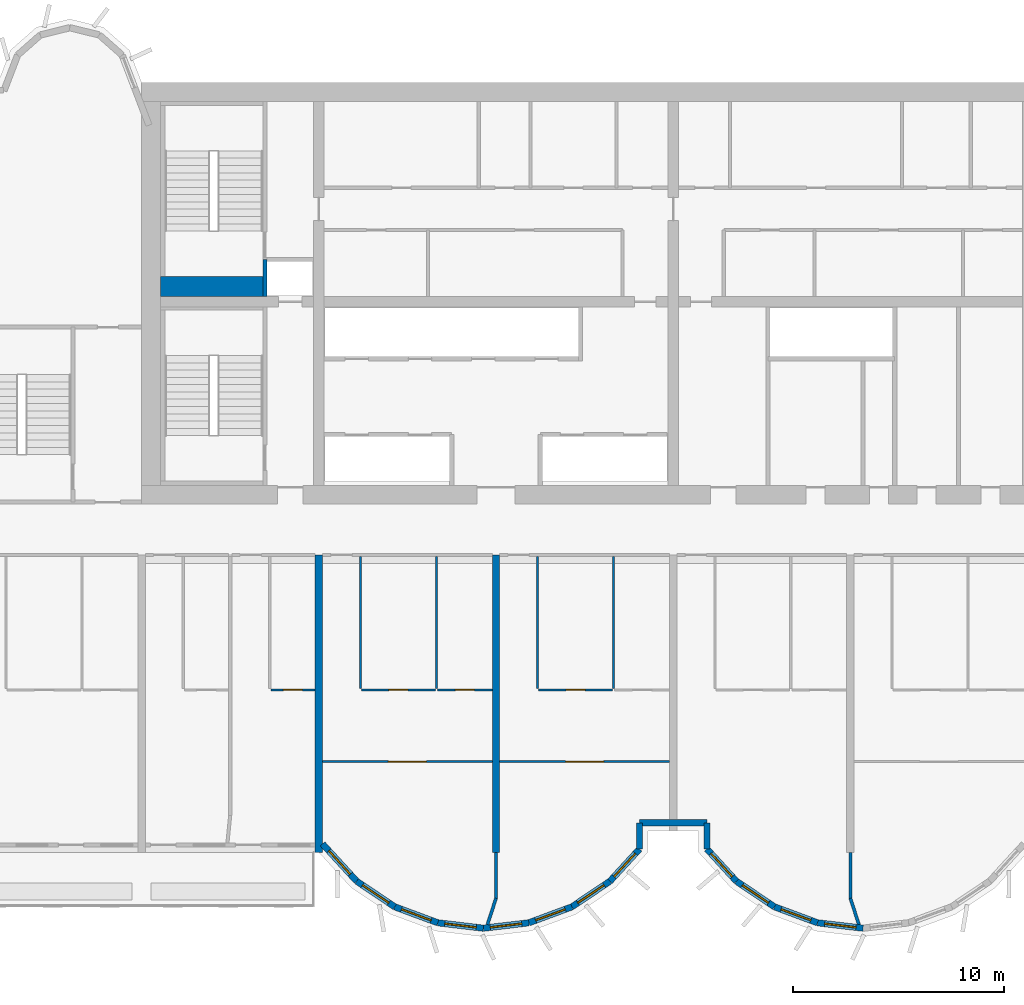
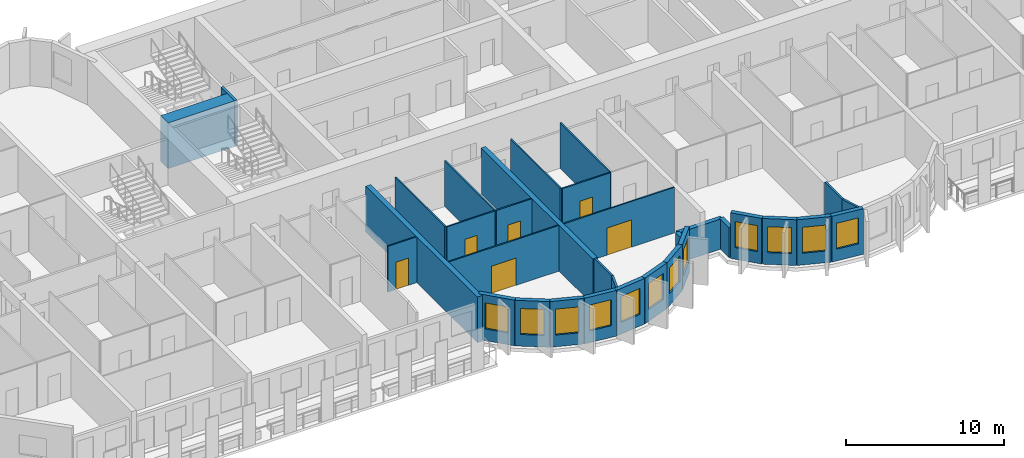
# One storey, part 5 of 15: 33 walls, 12 windows, 6 doors, 18 openings.
"""IFC4 building model written with IfcOpenShell, lengths in metres."""

import ifcopenshell
import ifcopenshell.guid

model = None  # the IFC model being written
_history = None  # IfcOwnerHistory: only IFC2X3 demands one
_inside = {}  # id of a spatial element -> (the spatial element, [elements in it])
_under = {}  # id of a project, library or spatial element -> (it, [spatial elements below it])
_declared = {}  # id of a project -> (the project, [libraries it declares])
_typed = {}  # id of a type object -> (the type object, [elements of that type])
_made_of = {}  # id of a material, layer set ... -> (it, [elements and type objects made of it])


def new_model(schema):
    """Start an empty IFC model of exactly this schema.

    Asked for "IFC4X3", IfcOpenShell would pick the latest addendum, in which some entities
    have other attributes; the version numbers below select the first issue.
    IFC2X3 requires an IfcOwnerHistory on every rooted entity: one is made here for all.
    """
    global model, _history
    if schema == "IFC4X3":
        model = ifcopenshell.file(schema_version=(4, 3, 0, 0))
    else:
        model = ifcopenshell.file(schema=schema)
    _inside.clear()
    _under.clear()
    _declared.clear()
    _typed.clear()
    _made_of.clear()
    _history = None
    if model.schema == "IFC2X3":
        org = make("IfcOrganization", Name="unknown")
        user = make(
            "IfcPersonAndOrganization",
            ThePerson=make("IfcPerson", FamilyName="unknown"),
            TheOrganization=org,
        )
        app = make(
            "IfcApplication",
            ApplicationDeveloper=org,
            Version="unknown",
            ApplicationFullName="unknown",
            ApplicationIdentifier="unknown",
        )
        _history = make(
            "IfcOwnerHistory",
            OwningUser=user,
            OwningApplication=app,
            ChangeAction="ADDED",
            CreationDate=0,
        )
    return model


def make(cls, **values):
    """One entity of the class cls with the attributes given. An attribute that is None is left unset."""
    return model.create_entity(
        cls, **{name: value for name, value in values.items() if value is not None}
    )


def rooted(cls, **values):
    """An entity with a GlobalId (a new one), such as an element, a storey or a relation."""
    return make(cls, GlobalId=ifcopenshell.guid.new(), OwnerHistory=_history, **values)


def si_unit(unit_type, name, prefix=None):
    """IfcSIUnit, for example si_unit("LENGTHUNIT", "METRE", prefix="MILLI")."""
    return make("IfcSIUnit", UnitType=unit_type, Prefix=prefix, Name=name)


def assignment(units):
    """IfcUnitAssignment: the units of a project."""
    return None if units is None else make("IfcUnitAssignment", Units=units)


def point(xyz):
    """IfcCartesianPoint."""
    return None if xyz is None else make("IfcCartesianPoint", Coordinates=xyz)


def direction(xyz):
    """IfcDirection."""
    return None if xyz is None else make("IfcDirection", DirectionRatios=xyz)


def frame(location, z_axis=None, x_axis=None):
    """IfcAxis2Placement3D, a coordinate frame: its origin and axes. An axis left out is left unset."""
    return make(
        "IfcAxis2Placement3D",
        Location=point(location),
        Axis=direction(z_axis),
        RefDirection=direction(x_axis),
    )


def frame_2d(location, x_axis=None):
    """IfcAxis2Placement2D, a coordinate frame in the plane: its origin and x axis."""
    return make(
        "IfcAxis2Placement2D", Location=point(location), RefDirection=direction(x_axis)
    )


def origin():
    """The frame at (0, 0, 0) with its axes left unset."""
    return frame((0.0, 0.0, 0.0))


def place(relative_to, where):
    """IfcLocalPlacement: puts the frame where relative to a parent placement (None: the world)."""
    return make(
        "IfcLocalPlacement", PlacementRelTo=relative_to, RelativePlacement=where
    )


def context(
    kind, dimensions, precision=None, world=None, true_north=None, identifier=None
):
    """IfcGeometricRepresentationContext, for example the 3D "Model" context."""
    return make(
        "IfcGeometricRepresentationContext",
        ContextIdentifier=identifier,
        ContextType=kind,
        CoordinateSpaceDimension=dimensions,
        Precision=precision,
        WorldCoordinateSystem=world,
        TrueNorth=true_north,
    )


def subcontext(parent, identifier, kind, view, scale=None):
    """IfcGeometricRepresentationSubContext, for example "Body" below "Model"."""
    return make(
        "IfcGeometricRepresentationSubContext",
        ContextIdentifier=identifier,
        ContextType=kind,
        ParentContext=parent,
        TargetScale=scale,
        TargetView=view,
    )


def project(units=None, contexts=None):
    """IfcProject with its units and contexts."""
    return rooted(
        "IfcProject",
        Name="project",
        RepresentationContexts=contexts,
        UnitsInContext=assignment(units),
    )


def spatial(cls, under=None, at=None, **own):
    """A site, building, storey or space (cls), placed at a placement, below another one or the project."""
    s = rooted(cls, ObjectPlacement=at, **own)
    if under is not None:
        _under.setdefault(under.id(), (under, []))[1].append(s)
    return s


def profile(cls, at=None, kind="AREA", **sizes):
    """A parametric profile (cls). Its sizes go by their IFC names, for example OverallWidth=200.0."""
    return make(cls, ProfileType=kind, Position=at, **sizes)


def rectangle(**sizes):
    """IfcRectangleProfileDef."""
    return profile("IfcRectangleProfileDef", **sizes)


def extrude(swept, where, along, depth):
    """IfcExtrudedAreaSolid: the profile swept, set in the frame where, extruded along a direction by depth."""
    return make(
        "IfcExtrudedAreaSolid",
        SweptArea=swept,
        Position=where,
        ExtrudedDirection=direction(along),
        Depth=depth,
    )


def shape(context_of_items, identifier, shape_type, items):
    """IfcShapeRepresentation: the items that make up one representation, for example the "Body"."""
    return make(
        "IfcShapeRepresentation",
        ContextOfItems=context_of_items,
        RepresentationIdentifier=identifier,
        RepresentationType=shape_type,
        Items=items,
    )


def source(mapping_origin, context_of_items, identifier, shape_type, items):
    """IfcRepresentationMap: a shape defined once, which mapped items show again and again."""
    return make(
        "IfcRepresentationMap",
        MappingOrigin=mapping_origin,
        MappedRepresentation=shape(context_of_items, identifier, shape_type, items),
    )


def transform(
    local_origin,
    x_axis=None,
    y_axis=None,
    z_axis=None,
    scale=None,
    scale2=None,
    scale3=None,
    uniform=True,
):
    """IfcCartesianTransformationOperator3D, or its non-uniform kind. x_axis, y_axis, z_axis: its Axis1, 2, 3."""
    if uniform:
        return make(
            "IfcCartesianTransformationOperator3D",
            Axis1=direction(x_axis),
            Axis2=direction(y_axis),
            LocalOrigin=point(local_origin),
            Scale=scale,
            Axis3=direction(z_axis),
        )
    return make(
        "IfcCartesianTransformationOperator3DnonUniform",
        Axis1=direction(x_axis),
        Axis2=direction(y_axis),
        LocalOrigin=point(local_origin),
        Scale=scale,
        Axis3=direction(z_axis),
        Scale2=scale2,
        Scale3=scale3,
    )


def mapped(mapping_source, mapping_target):
    """IfcMappedItem: shows the shape of a source again, moved by a transform."""
    return make(
        "IfcMappedItem", MappingSource=mapping_source, MappingTarget=mapping_target
    )


def material(Name=None, Category=None):
    """IfcMaterial."""
    return make("IfcMaterial", Name=Name, Category=Category)


def layer(
    of_material, thickness, ventilated=None, Name=None, Category=None, Priority=None
):
    """IfcMaterialLayer: one layer of a wall or slab, of a material (None: an air gap)."""
    return make(
        "IfcMaterialLayer",
        Material=of_material,
        LayerThickness=thickness,
        IsVentilated=ventilated,
        Name=Name,
        Category=Category,
        Priority=Priority,
    )


def layer_set(layers, Name=None):
    """IfcMaterialLayerSet."""
    return make("IfcMaterialLayerSet", MaterialLayers=layers, LayerSetName=Name)


def made_of(thing, what):
    """Note that an element or type object is made of a material, layer set ...; save() writes the relation."""
    if what is not None:
        _made_of.setdefault(what.id(), (what, []))[1].append(thing)
    return thing


def type_object(cls, material=None, **own):
    """A type object (cls), such as IfcWallType, which elements share."""
    return made_of(rooted(cls, **own), material)


def element(
    cls,
    number,
    at=None,
    inside=None,
    cuts=None,
    type_object=None,
    material=None,
    context=None,
    identifier="Body",
    shape_type=None,
    held_by="IfcProductDefinitionShape",
    body=None,
    shapes=None,
    **own,
):
    """One element of the class cls, such as IfcWall. Its Tag is "e" and its number.

    at: its placement. inside: the storey or other place that contains it. cuts: it is an
    opening in that element (IfcRelVoidsElement). A single representation is given by context,
    identifier, shape_type and body (its items); several are given by shapes. held_by: the class
    of the entity that holds the representations. save() writes the other relations.
    """
    e = rooted(cls, Tag="e%d" % number, ObjectPlacement=at, **own)
    if body is not None:
        shapes = [shape(context, identifier, shape_type, body)]
    if shapes is not None:
        e.Representation = make(held_by, Representations=shapes)
    if inside is not None:
        _inside.setdefault(inside.id(), (inside, []))[1].append(e)
    if cuts is not None:
        rooted(
            "IfcRelVoidsElement", RelatingBuildingElement=cuts, RelatedOpeningElement=e
        )
    if type_object is not None:
        _typed.setdefault(type_object.id(), (type_object, []))[1].append(e)
    return made_of(e, material)


def fill(opening, filler):
    """IfcRelFillsElement: the door or window that sits in an opening."""
    return rooted(
        "IfcRelFillsElement",
        RelatingOpeningElement=opening,
        RelatedBuildingElement=filler,
    )


def aggregate(whole, parts):
    """IfcRelAggregates: a whole, such as a stair, and the parts it consists of."""
    return rooted("IfcRelAggregates", RelatingObject=whole, RelatedObjects=parts)


def save(model, path):
    """Write the relations noted so far, then the file.

    IfcRelAggregates (storeys below a building ...), IfcRelContainedInSpatialStructure (elements
    in a storey), IfcRelDefinesByType, IfcRelAssociatesMaterial and IfcRelDeclares: one each for
    every whole, place, type object, material and project.
    """
    for whole, parts in _under.values():
        aggregate(whole, parts)
    for where, things in _inside.values():
        rooted(
            "IfcRelContainedInSpatialStructure",
            RelatedElements=things,
            RelatingStructure=where,
        )
    for kind, things in _typed.values():
        rooted("IfcRelDefinesByType", RelatedObjects=things, RelatingType=kind)
    for what, things in _made_of.values():
        rooted("IfcRelAssociatesMaterial", RelatedObjects=things, RelatingMaterial=what)
    for by, libraries in _declared.values():
        rooted("IfcRelDeclares", RelatingContext=by, RelatedDefinitions=libraries)
    model.write(path)


model = new_model("IFC4")

# Units and contexts
model_context = context("Model", 3, precision=1e-05, world=origin(), true_north=direction((0.0, 1.0)))
body_context = subcontext(model_context, "Body", "Model", "MODEL_VIEW")
ifc_project = project(units=[si_unit("LENGTHUNIT", "METRE"), si_unit("AREAUNIT", "SQUARE_METRE"), si_unit("VOLUMEUNIT", "CUBIC_METRE"), si_unit("PLANEANGLEUNIT", "RADIAN"), si_unit("MASSUNIT", "GRAM", prefix="KILO")], contexts=[model_context])

# Site, building, storey
site_placement = place(None, origin())
site = spatial("IfcSite", under=ifc_project, at=site_placement, CompositionType="ELEMENT")
building_placement = place(site_placement, origin())
building = spatial("IfcBuilding", under=site, at=building_placement, Name="Vanashikhar Sky Hotel", CompositionType="ELEMENT")
storey_placement = place(building_placement, frame((0.0, 0.0, 137.0)))
storey = spatial("IfcBuildingStorey", under=building, at=storey_placement, Name="L33", CompositionType="ELEMENT", Elevation=137.0)

# Walls
ifc_material_1 = material(Name="Concrete M70", Category="concrete")
ifc_layer_1 = layer(ifc_material_1, 0.35009765625)
ifc_layer_set_1 = layer_set([ifc_layer_1], Name="RC shear wall 350 Concrete M70")
wall_type_1 = type_object("IfcWallType", Name="RC shear wall 350 Concrete M70", PredefinedType="SHEAR", material=ifc_layer_set_1)
shared_shape_1 = source(origin(), body_context, "Body", "SweptSolid", [
    extrude(rectangle(XDim=14.10009765625, YDim=0.35009765625, at=frame_2d((7.050048828125, 0.0))), origin(), (0.0, 0.0, 1.0), 3.52001953125),
])
for number, where, z_axis, x_axis, name in (
    (1, (33.60009765625, 5.5, 0.0), (0.0, 0.0, 1.0), (0.0, 1.0, 0.0), "CW-L33-XW05-1"),
    (2, (42.0, 5.5, 0.0), (0.0, 0.0, 1.0), (0.0, 1.0, 0.0), "CW-L33-XW06-1"),
):
    element("IfcWall", number, at=place(storey_placement, frame(where, z_axis=z_axis, x_axis=x_axis)), inside=storey, type_object=wall_type_1, Name=name, PredefinedType="SHEAR", context=body_context, shape_type="MappedRepresentation", body=[
        mapped(shared_shape_1, transform((0.0, 0.0, 0.0), scale=1.0)),
    ])

# Wall, opening, window
ifc_material_2 = material(Name="Concrete M50", Category="concrete")
ifc_layer_2 = layer(ifc_material_2, 0.300048828125)
ifc_layer_set_2 = layer_set([ifc_layer_2], Name="Lobe wall 300")
wall_type_2 = type_object("IfcWallType", Name="Lobe wall 300", PredefinedType="SOLIDWALL", material=ifc_layer_set_2)
shared_shape_2 = source(origin(), body_context, "Body", "SweptSolid", [
    extrude(rectangle(XDim=2.398193359375, YDim=0.300048828125, at=frame_2d((1.19921875, 0.0))), origin(), (0.0, 0.0, 1.0), 3.52001953125),
])
wall_1_placement = place(storey_placement, frame((33.776123046875, 5.89990234375, 0.0), z_axis=(0.0, 0.0, 1.0), x_axis=(0.675374189419, -0.737475222815, 0.0)))
wall_1 = element("IfcWall", 3, at=wall_1_placement, inside=storey, type_object=wall_type_2, Name="Lobe wall", PredefinedType="SOLIDWALL", context=body_context, shape_type="MappedRepresentation", body=[
    mapped(shared_shape_2, transform((0.0, 0.0, 0.0), scale=1.0)),
])
shared_shape_3 = source(origin(), body_context, "Body", "SweptSolid", [
    extrude(rectangle(XDim=1.5, YDim=2.0, at=frame_2d((0.75, 1.0))), frame((0.0, 0.16015625, 0.0), z_axis=(0.0, -1.0, 0.0), x_axis=(1.0, 0.0, 0.0)), (0.0, 0.0, 1.0), 0.320068359375),
])
opening_1_placement = place(wall_1_placement, frame((0.44921875, 0.0, 0.89990234375)))
opening_1 = element("IfcOpeningElement", 4, at=opening_1_placement, cuts=wall_1, Name="Opening WN-2", PredefinedType="OPENING", context=body_context, shape_type="MappedRepresentation", body=[
    mapped(shared_shape_3, transform((0.0, 0.0, 0.0), scale=1.0)),
])
ifc_material_3 = material(Name="Glass", Category="glass")
window_type = type_object("IfcWindowType", Name="Lobe window 1500 x 2000", PartitioningType="SINGLE_PANEL", PredefinedType="WINDOW", material=ifc_material_3)
shared_shape_4 = source(origin(), body_context, "Body", "SweptSolid", [
    extrude(rectangle(XDim=1.5, YDim=2.0, at=frame_2d((0.75, 1.0))), frame((0.0, 0.030029296875, 0.0), z_axis=(0.0, -1.0, 0.0), x_axis=(1.0, 0.0, 0.0)), (0.0, 0.0, 1.0), 0.06005859375),
])
window_1_placement = place(opening_1_placement, origin())
window_1 = element("IfcWindow", 5, at=window_1_placement, inside=storey, type_object=window_type, Name="Window WN-2", OverallHeight=2.0, OverallWidth=1.5, PartitioningType="SINGLE_PANEL", PredefinedType="WINDOW", context=body_context, shape_type="MappedRepresentation", body=[
    mapped(shared_shape_4, transform((0.0, 0.0, 0.0), scale=1.0)),
])
fill(opening_1, window_1)

shared_shape_5 = source(origin(), body_context, "Body", "SweptSolid", [
    extrude(rectangle(XDim=2.17578125, YDim=0.300048828125, at=frame_2d((1.087890625, 0.0))), origin(), (0.0, 0.0, 1.0), 3.52001953125),
])
wall_2_placement = place(storey_placement, frame((35.395751953125, 4.13134765625, 0.0), z_axis=(0.0, 0.0, 1.0), x_axis=(0.829590746428, -0.558371913192, 0.0)))
wall_2 = element("IfcWall", 6, at=wall_2_placement, inside=storey, type_object=wall_type_2, Name="Lobe wall", PredefinedType="SOLIDWALL", context=body_context, shape_type="MappedRepresentation", body=[
    mapped(shared_shape_5, transform((0.0, 0.0, 0.0), scale=1.0)),
])
opening_2_placement = place(wall_2_placement, frame((0.337890625, 0.0, 0.89990234375)))
opening_2 = element("IfcOpeningElement", 7, at=opening_2_placement, cuts=wall_2, Name="Opening WN-2", PredefinedType="OPENING", context=body_context, shape_type="MappedRepresentation", body=[
    mapped(shared_shape_3, transform((0.0, 0.0, 0.0), scale=1.0)),
])
window_2_placement = place(opening_2_placement, origin())
window_2 = element("IfcWindow", 8, at=window_2_placement, inside=storey, type_object=window_type, Name="Window WN-2", OverallHeight=2.0, OverallWidth=1.5, PartitioningType="SINGLE_PANEL", PredefinedType="WINDOW", context=body_context, shape_type="MappedRepresentation", body=[
    mapped(shared_shape_4, transform((0.0, 0.0, 0.0), scale=1.0)),
])
fill(opening_2, window_2)

wall_3_placement = place(storey_placement, frame((37.20068359375, 2.91650390625, 0.0), z_axis=(0.0, 0.0, 1.0), x_axis=(0.93754555999, -0.347862505801, 0.0)))
wall_3 = element("IfcWall", 9, at=wall_3_placement, inside=storey, type_object=wall_type_2, Name="Lobe wall", PredefinedType="SOLIDWALL", context=body_context, shape_type="MappedRepresentation", body=[
    mapped(shared_shape_5, transform((0.0, 0.0, 0.0), scale=1.0)),
])
opening_3_placement = place(wall_3_placement, frame((0.337890625, 0.0, 0.89990234375)))
opening_3 = element("IfcOpeningElement", 10, at=opening_3_placement, cuts=wall_3, Name="Opening WN-2", PredefinedType="OPENING", context=body_context, shape_type="MappedRepresentation", body=[
    mapped(shared_shape_3, transform((0.0, 0.0, 0.0), scale=1.0)),
])
window_3_placement = place(opening_3_placement, origin())
window_3 = element("IfcWindow", 11, at=window_3_placement, inside=storey, type_object=window_type, Name="Window WN-2", OverallHeight=2.0, OverallWidth=1.5, PartitioningType="SINGLE_PANEL", PredefinedType="WINDOW", context=body_context, shape_type="MappedRepresentation", body=[
    mapped(shared_shape_4, transform((0.0, 0.0, 0.0), scale=1.0)),
])
fill(opening_3, window_3)

wall_4_placement = place(storey_placement, frame((45.59912109375, 2.91650390625, 0.0), z_axis=(0.0, 0.0, 1.0), x_axis=(0.829625727223, 0.558319937607, 0.0)))
wall_4 = element("IfcWall", 12, at=wall_4_placement, inside=storey, type_object=wall_type_2, Name="Lobe wall", PredefinedType="SOLIDWALL", context=body_context, shape_type="MappedRepresentation", body=[
    mapped(shared_shape_5, transform((0.0, 0.0, 0.0), scale=1.0)),
])
opening_4_placement = place(wall_4_placement, frame((0.337890625, 0.0, 0.89990234375)))
opening_4 = element("IfcOpeningElement", 13, at=opening_4_placement, cuts=wall_4, Name="Opening WN-2", PredefinedType="OPENING", context=body_context, shape_type="MappedRepresentation", body=[
    mapped(shared_shape_3, transform((0.0, 0.0, 0.0), scale=1.0)),
])
window_4_placement = place(opening_4_placement, origin())
window_4 = element("IfcWindow", 14, at=window_4_placement, inside=storey, type_object=window_type, Name="Window WN-2", OverallHeight=2.0, OverallWidth=1.5, PartitioningType="SINGLE_PANEL", PredefinedType="WINDOW", context=body_context, shape_type="MappedRepresentation", body=[
    mapped(shared_shape_4, transform((0.0, 0.0, 0.0), scale=1.0)),
])
fill(opening_4, window_4)

wall_5_placement = place(storey_placement, frame((53.395751953125, 4.13134765625, 0.0), z_axis=(0.0, 0.0, 1.0), x_axis=(0.829590746428, -0.558371913192, 0.0)))
wall_5 = element("IfcWall", 15, at=wall_5_placement, inside=storey, type_object=wall_type_2, Name="Lobe wall", PredefinedType="SOLIDWALL", context=body_context, shape_type="MappedRepresentation", body=[
    mapped(shared_shape_5, transform((0.0, 0.0, 0.0), scale=1.0)),
])
opening_5_placement = place(wall_5_placement, frame((0.337890625, 0.0, 0.89990234375)))
opening_5 = element("IfcOpeningElement", 16, at=opening_5_placement, cuts=wall_5, Name="Opening WN-2", PredefinedType="OPENING", context=body_context, shape_type="MappedRepresentation", body=[
    mapped(shared_shape_3, transform((0.0, 0.0, 0.0), scale=1.0)),
])
window_5_placement = place(opening_5_placement, origin())
window_5 = element("IfcWindow", 17, at=window_5_placement, inside=storey, type_object=window_type, Name="Window WN-2", OverallHeight=2.0, OverallWidth=1.5, PartitioningType="SINGLE_PANEL", PredefinedType="WINDOW", context=body_context, shape_type="MappedRepresentation", body=[
    mapped(shared_shape_4, transform((0.0, 0.0, 0.0), scale=1.0)),
])
fill(opening_5, window_5)

wall_6_placement = place(storey_placement, frame((55.20068359375, 2.91650390625, 0.0), z_axis=(0.0, 0.0, 1.0), x_axis=(0.93754555999, -0.347862505801, 0.0)))
wall_6 = element("IfcWall", 18, at=wall_6_placement, inside=storey, type_object=wall_type_2, Name="Lobe wall", PredefinedType="SOLIDWALL", context=body_context, shape_type="MappedRepresentation", body=[
    mapped(shared_shape_5, transform((0.0, 0.0, 0.0), scale=1.0)),
])
opening_6_placement = place(wall_6_placement, frame((0.337890625, 0.0, 0.89990234375)))
opening_6 = element("IfcOpeningElement", 19, at=opening_6_placement, cuts=wall_6, Name="Opening WN-2", PredefinedType="OPENING", context=body_context, shape_type="MappedRepresentation", body=[
    mapped(shared_shape_3, transform((0.0, 0.0, 0.0), scale=1.0)),
])
window_6_placement = place(opening_6_placement, origin())
window_6 = element("IfcWindow", 20, at=window_6_placement, inside=storey, type_object=window_type, Name="Window WN-2", OverallHeight=2.0, OverallWidth=1.5, PartitioningType="SINGLE_PANEL", PredefinedType="WINDOW", context=body_context, shape_type="MappedRepresentation", body=[
    mapped(shared_shape_4, transform((0.0, 0.0, 0.0), scale=1.0)),
])
fill(opening_6, window_6)

shared_shape_6 = source(origin(), body_context, "Body", "SweptSolid", [
    extrude(rectangle(XDim=2.174560546875, YDim=0.300048828125, at=frame_2d((1.08740234375, 0.0))), origin(), (0.0, 0.0, 1.0), 3.52001953125),
])
wall_7_placement = place(storey_placement, frame((39.240478515625, 2.15966796875, 0.0), z_axis=(0.0, 0.0, 1.0), x_axis=(0.993001132889, -0.118104826659, 0.0)))
wall_7 = element("IfcWall", 21, at=wall_7_placement, inside=storey, type_object=wall_type_2, Name="Lobe wall", PredefinedType="SOLIDWALL", context=body_context, shape_type="MappedRepresentation", body=[
    mapped(shared_shape_6, transform((0.0, 0.0, 0.0), scale=1.0)),
])
opening_7_placement = place(wall_7_placement, frame((0.33740234375, 0.0, 0.89990234375)))
opening_7 = element("IfcOpeningElement", 22, at=opening_7_placement, cuts=wall_7, Name="Opening WN-2", PredefinedType="OPENING", context=body_context, shape_type="MappedRepresentation", body=[
    mapped(shared_shape_3, transform((0.0, 0.0, 0.0), scale=1.0)),
])
window_7_placement = place(opening_7_placement, origin())
window_7 = element("IfcWindow", 23, at=window_7_placement, inside=storey, type_object=window_type, Name="Window WN-2", OverallHeight=2.0, OverallWidth=1.5, PartitioningType="SINGLE_PANEL", PredefinedType="WINDOW", context=body_context, shape_type="MappedRepresentation", body=[
    mapped(shared_shape_4, transform((0.0, 0.0, 0.0), scale=1.0)),
])
fill(opening_7, window_7)

wall_8_placement = place(storey_placement, frame((57.240478515625, 2.15966796875, 0.0), z_axis=(0.0, 0.0, 1.0), x_axis=(0.993001132889, -0.118104826659, 0.0)))
wall_8 = element("IfcWall", 24, at=wall_8_placement, inside=storey, type_object=wall_type_2, Name="Lobe wall", PredefinedType="SOLIDWALL", context=body_context, shape_type="MappedRepresentation", body=[
    mapped(shared_shape_6, transform((0.0, 0.0, 0.0), scale=1.0)),
])
opening_8_placement = place(wall_8_placement, frame((0.33740234375, 0.0, 0.89990234375)))
opening_8 = element("IfcOpeningElement", 25, at=opening_8_placement, cuts=wall_8, Name="Opening WN-2", PredefinedType="OPENING", context=body_context, shape_type="MappedRepresentation", body=[
    mapped(shared_shape_3, transform((0.0, 0.0, 0.0), scale=1.0)),
])
window_8_placement = place(opening_8_placement, origin())
window_8 = element("IfcWindow", 26, at=window_8_placement, inside=storey, type_object=window_type, Name="Window WN-2", OverallHeight=2.0, OverallWidth=1.5, PartitioningType="SINGLE_PANEL", PredefinedType="WINDOW", context=body_context, shape_type="MappedRepresentation", body=[
    mapped(shared_shape_4, transform((0.0, 0.0, 0.0), scale=1.0)),
])
fill(opening_8, window_8)

shared_shape_7 = source(origin(), body_context, "Body", "SweptSolid", [
    extrude(rectangle(XDim=2.1748046875, YDim=0.300048828125, at=frame_2d((1.08740234375, 0.0))), origin(), (0.0, 0.0, 1.0), 3.52001953125),
])
wall_9_placement = place(storey_placement, frame((41.39990234375, 1.90283203125, 0.0), z_axis=(0.0, 0.0, 1.0), x_axis=(0.993002698611, 0.118091661648, 0.0)))
wall_9 = element("IfcWall", 27, at=wall_9_placement, inside=storey, type_object=wall_type_2, Name="Lobe wall", PredefinedType="SOLIDWALL", context=body_context, shape_type="MappedRepresentation", body=[
    mapped(shared_shape_7, transform((0.0, 0.0, 0.0), scale=1.0)),
])
opening_9_placement = place(wall_9_placement, frame((0.33740234375, 0.0, 0.89990234375)))
opening_9 = element("IfcOpeningElement", 28, at=opening_9_placement, cuts=wall_9, Name="Opening WN-2", PredefinedType="OPENING", context=body_context, shape_type="MappedRepresentation", body=[
    mapped(shared_shape_3, transform((0.0, 0.0, 0.0), scale=1.0)),
])
window_9_placement = place(opening_9_placement, origin())
window_9 = element("IfcWindow", 29, at=window_9_placement, inside=storey, type_object=window_type, Name="Window WN-2", OverallHeight=2.0, OverallWidth=1.5, PartitioningType="SINGLE_PANEL", PredefinedType="WINDOW", context=body_context, shape_type="MappedRepresentation", body=[
    mapped(shared_shape_4, transform((0.0, 0.0, 0.0), scale=1.0)),
])
fill(opening_9, window_9)

shared_shape_8 = source(origin(), body_context, "Body", "SweptSolid", [
    extrude(rectangle(XDim=2.175537109375, YDim=0.300048828125, at=frame_2d((1.087890625, 0.0))), origin(), (0.0, 0.0, 1.0), 3.52001953125),
])
wall_10_placement = place(storey_placement, frame((43.5595703125, 2.15966796875, 0.0), z_axis=(0.0, 0.0, 1.0), x_axis=(0.937531979054, 0.347899106424, 0.0)))
wall_10 = element("IfcWall", 30, at=wall_10_placement, inside=storey, type_object=wall_type_2, Name="Lobe wall", PredefinedType="SOLIDWALL", context=body_context, shape_type="MappedRepresentation", body=[
    mapped(shared_shape_8, transform((0.0, 0.0, 0.0), scale=1.0)),
])
opening_10_placement = place(wall_10_placement, frame((0.337890625, 0.0, 0.89990234375)))
opening_10 = element("IfcOpeningElement", 31, at=opening_10_placement, cuts=wall_10, Name="Opening WN-2", PredefinedType="OPENING", context=body_context, shape_type="MappedRepresentation", body=[
    mapped(shared_shape_3, transform((0.0, 0.0, 0.0), scale=1.0)),
])
window_10_placement = place(opening_10_placement, origin())
window_10 = element("IfcWindow", 32, at=window_10_placement, inside=storey, type_object=window_type, Name="Window WN-2", OverallHeight=2.0, OverallWidth=1.5, PartitioningType="SINGLE_PANEL", PredefinedType="WINDOW", context=body_context, shape_type="MappedRepresentation", body=[
    mapped(shared_shape_4, transform((0.0, 0.0, 0.0), scale=1.0)),
])
fill(opening_10, window_10)

shared_shape_9 = source(origin(), body_context, "Body", "SweptSolid", [
    extrude(rectangle(XDim=2.066650390625, YDim=0.300048828125, at=frame_2d((1.033203125, 0.0))), origin(), (0.0, 0.0, 1.0), 3.52001953125),
])
wall_11_placement = place(storey_placement, frame((47.404296875, 4.13134765625, 0.0), z_axis=(0.0, 0.0, 1.0), x_axis=(0.675355439877, 0.737492393065, 0.0)))
wall_11 = element("IfcWall", 33, at=wall_11_placement, inside=storey, type_object=wall_type_2, Name="Lobe wall", PredefinedType="SOLIDWALL", context=body_context, shape_type="MappedRepresentation", body=[
    mapped(shared_shape_9, transform((0.0, 0.0, 0.0), scale=1.0)),
])
opening_11_placement = place(wall_11_placement, frame((0.283447265625, 0.0, 0.89990234375)))
opening_11 = element("IfcOpeningElement", 34, at=opening_11_placement, cuts=wall_11, Name="Opening WN-2", PredefinedType="OPENING", context=body_context, shape_type="MappedRepresentation", body=[
    mapped(shared_shape_3, transform((0.0, 0.0, 0.0), scale=1.0)),
])
window_11_placement = place(opening_11_placement, origin())
window_11 = element("IfcWindow", 35, at=window_11_placement, inside=storey, type_object=window_type, Name="Window WN-2", OverallHeight=2.0, OverallWidth=1.5, PartitioningType="SINGLE_PANEL", PredefinedType="WINDOW", context=body_context, shape_type="MappedRepresentation", body=[
    mapped(shared_shape_4, transform((0.0, 0.0, 0.0), scale=1.0)),
])
fill(opening_11, window_11)

wall_12_placement = place(storey_placement, frame((52.0, 5.655517578125, 0.0), z_axis=(0.0, 0.0, 1.0), x_axis=(0.675355439877, -0.737492393065, 0.0)))
wall_12 = element("IfcWall", 36, at=wall_12_placement, inside=storey, type_object=wall_type_2, Name="Lobe wall", PredefinedType="SOLIDWALL", context=body_context, shape_type="MappedRepresentation", body=[
    mapped(shared_shape_9, transform((0.0, 0.0, 0.0), scale=1.0)),
])
opening_12_placement = place(wall_12_placement, frame((0.283447265625, 0.0, 0.89990234375)))
opening_12 = element("IfcOpeningElement", 37, at=opening_12_placement, cuts=wall_12, Name="Opening WN-2", PredefinedType="OPENING", context=body_context, shape_type="MappedRepresentation", body=[
    mapped(shared_shape_3, transform((0.0, 0.0, 0.0), scale=1.0)),
])
window_12_placement = place(opening_12_placement, origin())
window_12 = element("IfcWindow", 38, at=window_12_placement, inside=storey, type_object=window_type, Name="Window WN-2", OverallHeight=2.0, OverallWidth=1.5, PartitioningType="SINGLE_PANEL", PredefinedType="WINDOW", context=body_context, shape_type="MappedRepresentation", body=[
    mapped(shared_shape_4, transform((0.0, 0.0, 0.0), scale=1.0)),
])
fill(opening_12, window_12)

# Walls
shared_shape_10 = source(origin(), body_context, "Body", "SweptSolid", [
    extrude(rectangle(XDim=1.244384765625, YDim=0.300048828125, at=frame_2d((0.6220703125, 0.0))), origin(), (0.0, 0.0, 1.0), 2.320068359375),
])
for number, where, z_axis, x_axis, name in (
    (39, (48.800048828125, 5.655517578125, 0.0), (0.0, 0.0, 1.0), (0.0, 1.0, 0.0), "Groove wall"),
    (40, (52.0, 6.89990234375, 0.0), (0.0, 0.0, 1.0), (0.0, -1.0, 0.0), "Groove wall"),
):
    element("IfcWall", number, at=place(storey_placement, frame(where, z_axis=z_axis, x_axis=x_axis)), inside=storey, type_object=wall_type_2, Name=name, PredefinedType="SOLIDWALL", context=body_context, shape_type="MappedRepresentation", body=[
        mapped(shared_shape_10, transform((0.0, 0.0, 0.0), scale=1.0)),
    ])
shared_shape_11 = source(origin(), body_context, "Body", "SweptSolid", [
    extrude(rectangle(XDim=3.199951171875, YDim=0.300048828125, at=frame_2d((1.60009765625, 0.0))), origin(), (0.0, 0.0, 1.0), 2.320068359375),
])
wall_13_placement = place(storey_placement, frame((48.800048828125, 6.89990234375, 0.0), z_axis=(0.0, 0.0, 1.0), x_axis=(1.0, 0.0, 0.0)))
element("IfcWall", 41, at=wall_13_placement, inside=storey, type_object=wall_type_2, Name="Groove wall", PredefinedType="SOLIDWALL", context=body_context, shape_type="MappedRepresentation", body=[
    mapped(shared_shape_11, transform((0.0, 0.0, 0.0), scale=1.0)),
])
ifc_material_4 = material(Name="Concrete M40", Category="concrete")
ifc_layer_3 = layer(ifc_material_4, 0.199951171875)
ifc_layer_set_3 = layer_set([ifc_layer_3], Name="Shaft wall 200")
wall_type_3 = type_object("IfcWallType", Name="Shaft wall 200", PredefinedType="SOLIDWALL", material=ifc_layer_set_3)
shared_shape_12 = source(origin(), body_context, "Body", "SweptSolid", [
    extrude(rectangle(XDim=1.75, YDim=0.199951171875, at=frame_2d((0.875, 0.0))), origin(), (0.0, 0.0, 1.0), 3.52001953125),
])
wall_14_placement = place(storey_placement, frame((31.050048828125, 31.85009765625, 0.0), z_axis=(0.0, 0.0, 1.0), x_axis=(0.0, 1.0, 0.0)))
element("IfcWall", 42, at=wall_14_placement, inside=storey, type_object=wall_type_3, Name="Shaft wall 200", PredefinedType="SOLIDWALL", context=body_context, shape_type="MappedRepresentation", body=[
    mapped(shared_shape_12, transform((0.0, 0.0, 0.0), scale=1.0)),
])
ifc_layer_4 = layer(ifc_material_2, 0.949951171875)
ifc_layer_set_4 = layer_set([ifc_layer_4], Name="Stair infill wall 950")
wall_type_4 = type_object("IfcWallType", Name="Stair infill wall 950", PredefinedType="SOLIDWALL", material=ifc_layer_set_4)
shared_shape_13 = source(origin(), body_context, "Body", "SweptSolid", [
    extrude(rectangle(XDim=4.849853515625, YDim=0.949951171875, at=frame_2d((2.4248046875, 0.0))), origin(), (0.0, 0.0, 1.0), 3.52001953125),
])
wall_15_placement = place(storey_placement, frame((26.10009765625, 32.324951171875, 0.0), z_axis=(0.0, 0.0, 1.0), x_axis=(1.0, 0.0, 0.0)))
element("IfcWall", 43, at=wall_15_placement, inside=storey, type_object=wall_type_4, Name="Stair infill wall 950", PredefinedType="SOLIDWALL", context=body_context, shape_type="MappedRepresentation", body=[
    mapped(shared_shape_13, transform((0.0, 0.0, 0.0), scale=1.0)),
])
ifc_material_5 = material(Name="Gypsum plasterboard partition")
ifc_layer_5 = layer(ifc_material_5, 0.14990234375)
ifc_layer_set_5 = layer_set([ifc_layer_5], Name="Corridor and demising partition 150")
wall_type_5 = type_object("IfcWallType", Name="Corridor and demising partition 150", PredefinedType="PARTITIONING", material=ifc_layer_set_5)
shared_shape_14 = source(origin(), body_context, "Body", "SweptSolid", [
    extrude(rectangle(XDim=2.177978515625, YDim=0.14990234375, at=frame_2d((1.0888671875, 0.0))), origin(), (0.0, 0.0, 1.0), 3.52001953125),
])
for number, where, z_axis, x_axis, name in (
    (44, (42.0, 3.322021484375, 0.0), (0.0, 0.0, 1.0), (0.0, 1.0, 0.0), "W-L33-PW070"),
    (45, (58.800048828125, 3.322021484375, 0.0), (0.0, 0.0, 1.0), (0.0, 1.0, 0.0), "W-L33-PW071"),
):
    element("IfcWall", number, at=place(storey_placement, frame(where, z_axis=z_axis, x_axis=x_axis)), inside=storey, type_object=wall_type_5, Name=name, PredefinedType="PARTITIONING", context=body_context, shape_type="MappedRepresentation", body=[
        mapped(shared_shape_14, transform((0.0, 0.0, 0.0), scale=1.0)),
    ])

# Wall, opening, door
ifc_layer_6 = layer(ifc_material_5, 0.10009765625)
ifc_layer_set_6 = layer_set([ifc_layer_6], Name="Wet room partition 100")
wall_type_6 = type_object("IfcWallType", Name="Wet room partition 100", PredefinedType="PARTITIONING", material=ifc_layer_set_6)
shared_shape_15 = source(origin(), body_context, "Body", "SweptSolid", [
    extrude(rectangle(XDim=3.5, YDim=0.10009765625, at=frame_2d((1.75, 0.0))), origin(), (0.0, 0.0, 1.0), 3.52001953125),
])
wall_16_placement = place(storey_placement, frame((35.625, 13.199951171875, 0.0), z_axis=(0.0, 0.0, 1.0), x_axis=(1.0, 0.0, 0.0)))
wall_16 = element("IfcWall", 46, at=wall_16_placement, inside=storey, type_object=wall_type_6, Name="W-L33-PW026", PredefinedType="PARTITIONING", context=body_context, shape_type="MappedRepresentation", body=[
    mapped(shared_shape_15, transform((0.0, 0.0, 0.0), scale=1.0)),
])
shared_shape_16 = source(origin(), body_context, "Body", "SweptSolid", [
    extrude(rectangle(XDim=0.89990234375, YDim=2.10009765625, at=frame_2d((0.449951171875, 1.050048828125))), frame((0.0, 0.06005859375, 0.0), z_axis=(0.0, -1.0, 0.0), x_axis=(1.0, 0.0, 0.0)), (0.0, 0.0, 1.0), 0.1201171875),
])
opening_13_placement = place(wall_16_placement, frame((1.300048828125, 0.0, 0.0)))
opening_13 = element("IfcOpeningElement", 47, at=opening_13_placement, cuts=wall_16, Name="Opening D-02", PredefinedType="OPENING", context=body_context, shape_type="MappedRepresentation", body=[
    mapped(shared_shape_16, transform((0.0, 0.0, 0.0), scale=1.0)),
])
ifc_material_6 = material(Name="Timber door", Category="wood")
door_type_1 = type_object("IfcDoorType", Name="Internal door 900", OperationType="NOTDEFINED", PredefinedType="DOOR", material=ifc_material_6)
shared_shape_17 = source(origin(), body_context, "Body", "SweptSolid", [
    extrude(rectangle(XDim=0.89990234375, YDim=2.10009765625, at=frame_2d((0.449951171875, 1.050048828125))), frame((0.0, 0.02490234375, 0.0), z_axis=(0.0, -1.0, 0.0), x_axis=(1.0, 0.0, 0.0)), (0.0, 0.0, 1.0), 0.050048828125),
])
door_1_placement = place(opening_13_placement, origin())
door_1 = element("IfcDoor", 48, at=door_1_placement, inside=storey, type_object=door_type_1, Name="D-L33-015", OperationType="SINGLE_SWING_LEFT", OverallHeight=2.10009765625, OverallWidth=0.89990234375, PredefinedType="DOOR", context=body_context, shape_type="MappedRepresentation", body=[
    mapped(shared_shape_17, transform((0.0, 0.0, 0.0), scale=1.0)),
])
fill(opening_13, door_1)

wall_17_placement = place(storey_placement, frame((44.02490234375, 13.199951171875, 0.0), z_axis=(0.0, 0.0, 1.0), x_axis=(1.0, 0.0, 0.0)))
wall_17 = element("IfcWall", 49, at=wall_17_placement, inside=storey, type_object=wall_type_6, Name="W-L33-PW032", PredefinedType="PARTITIONING", context=body_context, shape_type="MappedRepresentation", body=[
    mapped(shared_shape_15, transform((0.0, 0.0, 0.0), scale=1.0)),
])
opening_14_placement = place(wall_17_placement, frame((1.300048828125, 0.0, 0.0)))
opening_14 = element("IfcOpeningElement", 50, at=opening_14_placement, cuts=wall_17, Name="Opening D-02", PredefinedType="OPENING", context=body_context, shape_type="MappedRepresentation", body=[
    mapped(shared_shape_16, transform((0.0, 0.0, 0.0), scale=1.0)),
])
door_2_placement = place(opening_14_placement, origin())
door_2 = element("IfcDoor", 51, at=door_2_placement, inside=storey, type_object=door_type_1, Name="D-L33-019", OperationType="SINGLE_SWING_LEFT", OverallHeight=2.10009765625, OverallWidth=0.89990234375, PredefinedType="DOOR", context=body_context, shape_type="MappedRepresentation", body=[
    mapped(shared_shape_17, transform((0.0, 0.0, 0.0), scale=1.0)),
])
fill(opening_14, door_2)

# Walls
shared_shape_18 = source(origin(), body_context, "Body", "SweptSolid", [
    extrude(rectangle(XDim=1.308349609375, YDim=0.14990234375, at=frame_2d((0.654296875, 0.0))), origin(), (0.0, 0.0, 1.0), 3.52001953125),
])
for number, where, z_axis, x_axis, name in (
    (52, (41.597900390625, 2.076904296875, 0.0), (0.0, 0.0, 1.0), (0.307313512187, 0.951608325535, 0.0), "W-L33-PW070B0"),
    (53, (59.201904296875, 2.076904296875, 0.0), (0.0, 0.0, 1.0), (-0.307144529633, 0.951662880392, 0.0), "W-L33-PW071B0"),
):
    element("IfcWall", number, at=place(storey_placement, frame(where, z_axis=z_axis, x_axis=x_axis)), inside=storey, type_object=wall_type_5, Name=name, PredefinedType="PARTITIONING", context=body_context, shape_type="MappedRepresentation", body=[
        mapped(shared_shape_18, transform((0.0, 0.0, 0.0), scale=1.0)),
    ])
shared_shape_19 = source(origin(), body_context, "Body", "SweptSolid", [
    extrude(rectangle(XDim=6.25, YDim=0.10009765625, at=frame_2d((3.125, 0.0))), origin(), (0.0, 0.0, 1.0), 3.52001953125),
])
for number, where, z_axis, x_axis, name in (
    (54, (35.574951171875, 13.27490234375, 0.0), (0.0, 0.0, 1.0), (0.0, 1.0, 0.0), "W-L33-PW024"),
    (55, (39.175048828125, 13.27490234375, 0.0), (0.0, 0.0, 1.0), (0.0, 1.0, 0.0), "W-L33-PW025"),
    (56, (43.97509765625, 13.27490234375, 0.0), (0.0, 0.0, 1.0), (0.0, 1.0, 0.0), "W-L33-PW030"),
    (57, (47.574951171875, 13.27490234375, 0.0), (0.0, 0.0, 1.0), (0.0, 1.0, 0.0), "W-L33-PW031"),
):
    element("IfcWall", number, at=place(storey_placement, frame(where, z_axis=z_axis, x_axis=x_axis)), inside=storey, type_object=wall_type_6, Name=name, PredefinedType="PARTITIONING", context=body_context, shape_type="MappedRepresentation", body=[
        mapped(shared_shape_19, transform((0.0, 0.0, 0.0), scale=1.0)),
    ])

# Wall, opening, door
shared_shape_20 = source(origin(), body_context, "Body", "SweptSolid", [
    extrude(rectangle(XDim=2.10009765625, YDim=0.10009765625, at=frame_2d((1.050048828125, 0.0))), origin(), (0.0, 0.0, 1.0), 3.52001953125),
])
wall_18_placement = place(storey_placement, frame((31.324951171875, 13.199951171875, 0.0), z_axis=(0.0, 0.0, 1.0), x_axis=(1.0, 0.0, 0.0)))
wall_18 = element("IfcWall", 58, at=wall_18_placement, inside=storey, type_object=wall_type_6, Name="W-L33-PW021", PredefinedType="PARTITIONING", context=body_context, shape_type="MappedRepresentation", body=[
    mapped(shared_shape_20, transform((0.0, 0.0, 0.0), scale=1.0)),
])
opening_15_placement = place(wall_18_placement, frame((0.60009765625, 0.0, 0.0)))
opening_15 = element("IfcOpeningElement", 59, at=opening_15_placement, cuts=wall_18, Name="Opening D-02", PredefinedType="OPENING", context=body_context, shape_type="MappedRepresentation", body=[
    mapped(shared_shape_16, transform((0.0, 0.0, 0.0), scale=1.0)),
])
door_3_placement = place(opening_15_placement, origin())
door_3 = element("IfcDoor", 60, at=door_3_placement, inside=storey, type_object=door_type_1, Name="D-L33-013", OperationType="SINGLE_SWING_LEFT", OverallHeight=2.10009765625, OverallWidth=0.89990234375, PredefinedType="DOOR", context=body_context, shape_type="MappedRepresentation", body=[
    mapped(shared_shape_17, transform((0.0, 0.0, 0.0), scale=1.0)),
])
fill(opening_15, door_3)

shared_shape_21 = source(origin(), body_context, "Body", "SweptSolid", [
    extrude(rectangle(XDim=2.599853515625, YDim=0.10009765625, at=frame_2d((1.2998046875, 0.0))), origin(), (0.0, 0.0, 1.0), 3.52001953125),
])
wall_19_placement = place(storey_placement, frame((39.22509765625, 13.199951171875, 0.0), z_axis=(0.0, 0.0, 1.0), x_axis=(1.0, 0.0, 0.0)))
wall_19 = element("IfcWall", 61, at=wall_19_placement, inside=storey, type_object=wall_type_6, Name="W-L33-PW027", PredefinedType="PARTITIONING", context=body_context, shape_type="MappedRepresentation", body=[
    mapped(shared_shape_21, transform((0.0, 0.0, 0.0), scale=1.0)),
])
opening_16_placement = place(wall_19_placement, frame((0.85009765625, 0.0, 0.0)))
opening_16 = element("IfcOpeningElement", 62, at=opening_16_placement, cuts=wall_19, Name="Opening D-02", PredefinedType="OPENING", context=body_context, shape_type="MappedRepresentation", body=[
    mapped(shared_shape_16, transform((0.0, 0.0, 0.0), scale=1.0)),
])
door_4_placement = place(opening_16_placement, origin())
door_4 = element("IfcDoor", 63, at=door_4_placement, inside=storey, type_object=door_type_1, Name="D-L33-016", OperationType="SINGLE_SWING_LEFT", OverallHeight=2.10009765625, OverallWidth=0.89990234375, PredefinedType="DOOR", context=body_context, shape_type="MappedRepresentation", body=[
    mapped(shared_shape_17, transform((0.0, 0.0, 0.0), scale=1.0)),
])
fill(opening_16, door_4)

shared_shape_22 = source(origin(), body_context, "Body", "SweptSolid", [
    extrude(rectangle(XDim=8.050048828125, YDim=0.10009765625, at=frame_2d((4.02490234375, 0.0))), origin(), (0.0, 0.0, 1.0), 3.52001953125),
])
wall_20_placement = place(storey_placement, frame((33.77490234375, 9.802001953125, 0.0), z_axis=(0.0, 0.0, 1.0), x_axis=(1.0, 0.0, 0.0)))
wall_20 = element("IfcWall", 64, at=wall_20_placement, inside=storey, type_object=wall_type_6, Name="W-L33-PW028", PredefinedType="PARTITIONING", context=body_context, shape_type="MappedRepresentation", body=[
    mapped(shared_shape_22, transform((0.0, 0.0, 0.0), scale=1.0)),
])
shared_shape_23 = source(origin(), body_context, "Body", "SweptSolid", [
    extrude(rectangle(XDim=1.800048828125, YDim=2.10009765625, at=frame_2d((0.89990234375, 1.050048828125))), frame((0.0, 0.06005859375, 0.0), z_axis=(0.0, -1.0, 0.0), x_axis=(1.0, 0.0, 0.0)), (0.0, 0.0, 1.0), 0.1201171875),
])
opening_17_placement = place(wall_20_placement, frame((3.125, 0.0, 0.0)))
opening_17 = element("IfcOpeningElement", 65, at=opening_17_placement, cuts=wall_20, Name="Opening D-08", PredefinedType="OPENING", context=body_context, shape_type="MappedRepresentation", body=[
    mapped(shared_shape_23, transform((0.0, 0.0, 0.0), scale=1.0)),
])
door_type_2 = type_object("IfcDoorType", Name="Double leaf door 1800", OperationType="NOTDEFINED", PredefinedType="DOOR", material=ifc_material_6)
shared_shape_24 = source(origin(), body_context, "Body", "SweptSolid", [
    extrude(rectangle(XDim=1.800048828125, YDim=2.10009765625, at=frame_2d((0.89990234375, 1.050048828125))), frame((0.0, 0.02490234375, 0.0), z_axis=(0.0, -1.0, 0.0), x_axis=(1.0, 0.0, 0.0)), (0.0, 0.0, 1.0), 0.050048828125),
])
door_5_placement = place(opening_17_placement, origin())
door_5 = element("IfcDoor", 66, at=door_5_placement, inside=storey, type_object=door_type_2, Name="D-L33-017", OperationType="DOUBLE_DOOR_SINGLE_SWING", OverallHeight=2.10009765625, OverallWidth=1.800048828125, PredefinedType="DOOR", context=body_context, shape_type="MappedRepresentation", body=[
    mapped(shared_shape_24, transform((0.0, 0.0, 0.0), scale=1.0)),
])
fill(opening_17, door_5)

wall_21_placement = place(storey_placement, frame((42.175048828125, 9.802001953125, 0.0), z_axis=(0.0, 0.0, 1.0), x_axis=(1.0, 0.0, 0.0)))
wall_21 = element("IfcWall", 67, at=wall_21_placement, inside=storey, type_object=wall_type_6, Name="W-L33-PW034", PredefinedType="PARTITIONING", context=body_context, shape_type="MappedRepresentation", body=[
    mapped(shared_shape_22, transform((0.0, 0.0, 0.0), scale=1.0)),
])
opening_18_placement = place(wall_21_placement, frame((3.125, 0.0, 0.0)))
opening_18 = element("IfcOpeningElement", 68, at=opening_18_placement, cuts=wall_21, Name="Opening D-08", PredefinedType="OPENING", context=body_context, shape_type="MappedRepresentation", body=[
    mapped(shared_shape_23, transform((0.0, 0.0, 0.0), scale=1.0)),
])
door_6_placement = place(opening_18_placement, origin())
door_6 = element("IfcDoor", 69, at=door_6_placement, inside=storey, type_object=door_type_2, Name="D-L33-021", OperationType="DOUBLE_DOOR_SINGLE_SWING", OverallHeight=2.10009765625, OverallWidth=1.800048828125, PredefinedType="DOOR", context=body_context, shape_type="MappedRepresentation", body=[
    mapped(shared_shape_24, transform((0.0, 0.0, 0.0), scale=1.0)),
])
fill(opening_18, door_6)

save(model, "model.ifc")
